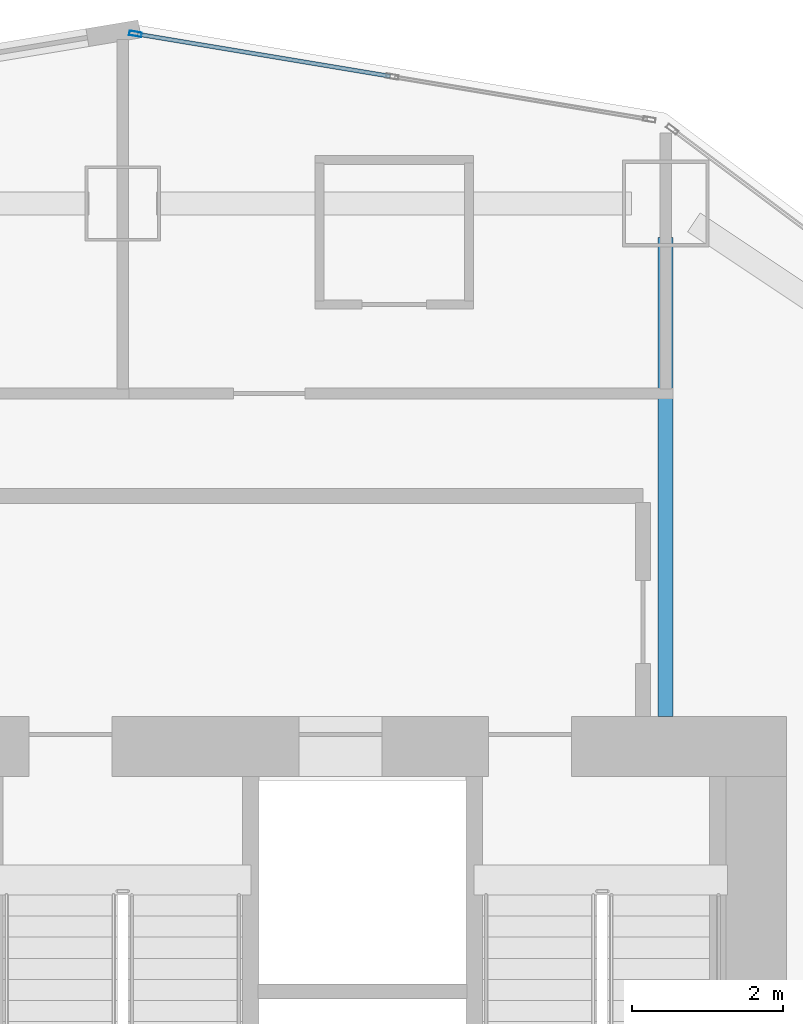
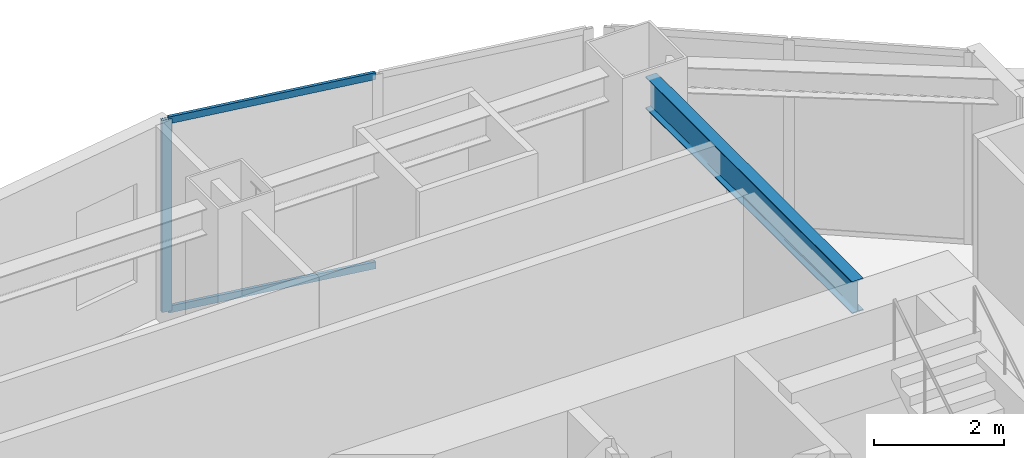
# One storey, part 2 of 16: 3 members, 1 beam, 1 element without a shape of its own.
"""IFC4 building model written with IfcOpenShell, lengths in metres."""

from ifc_helpers import new_model, si_unit, direction, frame, origin, origin_2d, place, context, subcontext, project, spatial, hollow_rectangle, i_section, extrude, material, layer, layer_set, material_profile, profile_set, type_object, element, aggregate, save


model = new_model("IFC4")

# Units and contexts
model_context = context("Model", 3, precision=1e-05, world=origin(), true_north=direction((0.0, 1.0)))
body_context = subcontext(model_context, "Body", "Model", "MODEL_VIEW")
ifc_project = project(units=[si_unit("LENGTHUNIT", "METRE"), si_unit("AREAUNIT", "SQUARE_METRE"), si_unit("VOLUMEUNIT", "CUBIC_METRE"), si_unit("PLANEANGLEUNIT", "RADIAN"), si_unit("MASSUNIT", "GRAM", prefix="KILO")], contexts=[model_context])

# Site, building, storey
site_placement = place(None, origin())
site = spatial("IfcSite", under=ifc_project, at=site_placement, CompositionType="ELEMENT")
building_placement = place(site_placement, origin())
building = spatial("IfcBuilding", under=site, at=building_placement, Name="Haolan Belvedere Tower", CompositionType="ELEMENT")
storey_placement = place(building_placement, frame((0.0, 0.0, 74.199951171875)))
storey = spatial("IfcBuildingStorey", under=building, at=storey_placement, Name="L18", CompositionType="ELEMENT", Elevation=74.199951171875)

# Beam
ifc_material_1 = material(Name="Steel Q355B", Category="steel")
ifc_material_profile_1 = material_profile(ifc_material_1, i_section(OverallWidth=0.199951171875, OverallDepth=0.60009765625, WebThickness=0.010986328125, FlangeThickness=0.01708984375, FilletRadius=0.02197265625, at=origin_2d()), Name="Steel Q355B")
ifc_profile_set_1 = profile_set([ifc_material_profile_1], Name="Steel Q355B")
beam_type = type_object("IfcBeamType", Name="BM-HN600x200x11x17", PredefinedType="BEAM", material=ifc_profile_set_1)
beam_placement = place(storey_placement, frame((45.60009765625, 49.949951171875, 3.300048828125), z_axis=(0.0, -1.0, 0.0), x_axis=(1.0, 0.0, 0.0)))
element("IfcBeam", 1, at=beam_placement, inside=storey, type_object=beam_type, Name="L18 core tie beam from MC-T3-N2", PredefinedType="BEAM", context=body_context, shape_type="SweptSolid", body=[
    extrude(i_section(OverallWidth=0.199951171875, OverallDepth=0.60009765625, WebThickness=0.010986328125, FlangeThickness=0.01708984375, FilletRadius=0.02197265625, at=origin_2d()), origin(), (0.0, 0.0, 1.0), 6.349853515625),
])

# Curtain wall, members
ifc_material_2 = material(Name="Anodised champagne-silver aluminium 6063-T6 and Low-E glass", Category="aluminium")
ifc_layer = layer(ifc_material_2, 0.1650390625, Name="Anodised champagne-silver aluminium 6063-T6 and Low-E glass")
ifc_layer_set = layer_set([ifc_layer], Name="Anodised champagne-silver aluminium 6063-T6 and Low-E glass")
curtain_wall_type = type_object("IfcCurtainWallType", Name="CW-SYS-02", PredefinedType="NOTDEFINED", material=ifc_layer_set)
curtain_wall_placement = place(storey_placement, origin())
curtain_wall = element("IfcCurtainWall", 2, at=curtain_wall_placement, inside=storey, type_object=curtain_wall_type, Name="L18 CW-SYS-02 ribbon curtain wall 42.1", PredefinedType="NOTDEFINED")
ifc_material_3 = material(Name="Anodised aluminium 6063-T6", Category="aluminium")
ifc_material_profile_2 = material_profile(ifc_material_3, hollow_rectangle(XDim=0.06005859375, YDim=0.1650390625, WallThickness=0.00390625, at=origin_2d()), Name="Anodised aluminium 6063-T6")
ifc_profile_set_2 = profile_set([ifc_material_profile_2], Name="Anodised aluminium 6063-T6")
member_type_1 = type_object("IfcMemberType", Name="CW-SYS-02-MUL", PredefinedType="MULLION", material=ifc_profile_set_2)
member_1_placement = place(storey_placement, frame((38.567626953125, 52.650390625, 0.0), z_axis=(0.0, 0.0, 1.0), x_axis=(-0.16440364043, -0.9863931483, 0.0)))
member_1 = element("IfcMember", 3, at=member_1_placement, type_object=member_type_1, Name="CW-02 mullion 3", PredefinedType="MULLION", context=body_context, shape_type="SweptSolid", body=[
    extrude(hollow_rectangle(XDim=0.06005859375, YDim=0.1650390625, WallThickness=0.00390625, at=origin_2d()), origin(), (0.0, 0.0, 1.0), 3.60009765625),
])
ifc_material_profile_3 = material_profile(ifc_material_3, hollow_rectangle(XDim=0.054931640625, YDim=0.1298828125, WallThickness=0.00390625, at=origin_2d()), Name="Anodised aluminium 6063-T6")
ifc_profile_set_3 = profile_set([ifc_material_profile_3], Name="Anodised aluminium 6063-T6")
member_type_2 = type_object("IfcMemberType", Name="CW-SYS-02-TRN", PredefinedType="USERDEFINED", material=ifc_profile_set_3)
member_2_placement = place(storey_placement, frame((41.946044921875, 52.08740234375, 0.027587890625), z_axis=(-0.986395867289, 0.164387326137, 0.0), x_axis=(-0.164387326137, -0.986395867289, 0.0)))
member_2 = element("IfcMember", 4, at=member_2_placement, type_object=member_type_2, Name="CW-02 transom 2.1", ObjectType="TRANSOM", PredefinedType="USERDEFINED", context=body_context, shape_type="SweptSolid", body=[
    extrude(hollow_rectangle(XDim=0.054931640625, YDim=0.1298828125, WallThickness=0.00390625, at=origin_2d()), origin(), (0.0, 0.0, 1.0), 3.39501953125),
])
member_3_placement = place(storey_placement, frame((41.946044921875, 52.08740234375, 3.572509765625), z_axis=(-0.986395867289, 0.164387326137, 0.0), x_axis=(-0.164387326137, -0.986395867289, 0.0)))
member_3 = element("IfcMember", 5, at=member_3_placement, type_object=member_type_2, Name="CW-02 transom 2.2", ObjectType="TRANSOM", PredefinedType="USERDEFINED", context=body_context, shape_type="SweptSolid", body=[
    extrude(hollow_rectangle(XDim=0.054931640625, YDim=0.1298828125, WallThickness=0.00390625, at=origin_2d()), origin(), (0.0, 0.0, 1.0), 3.39501953125),
])
aggregate(curtain_wall, [member_1, member_2, member_3])

save(model, "model.ifc")
